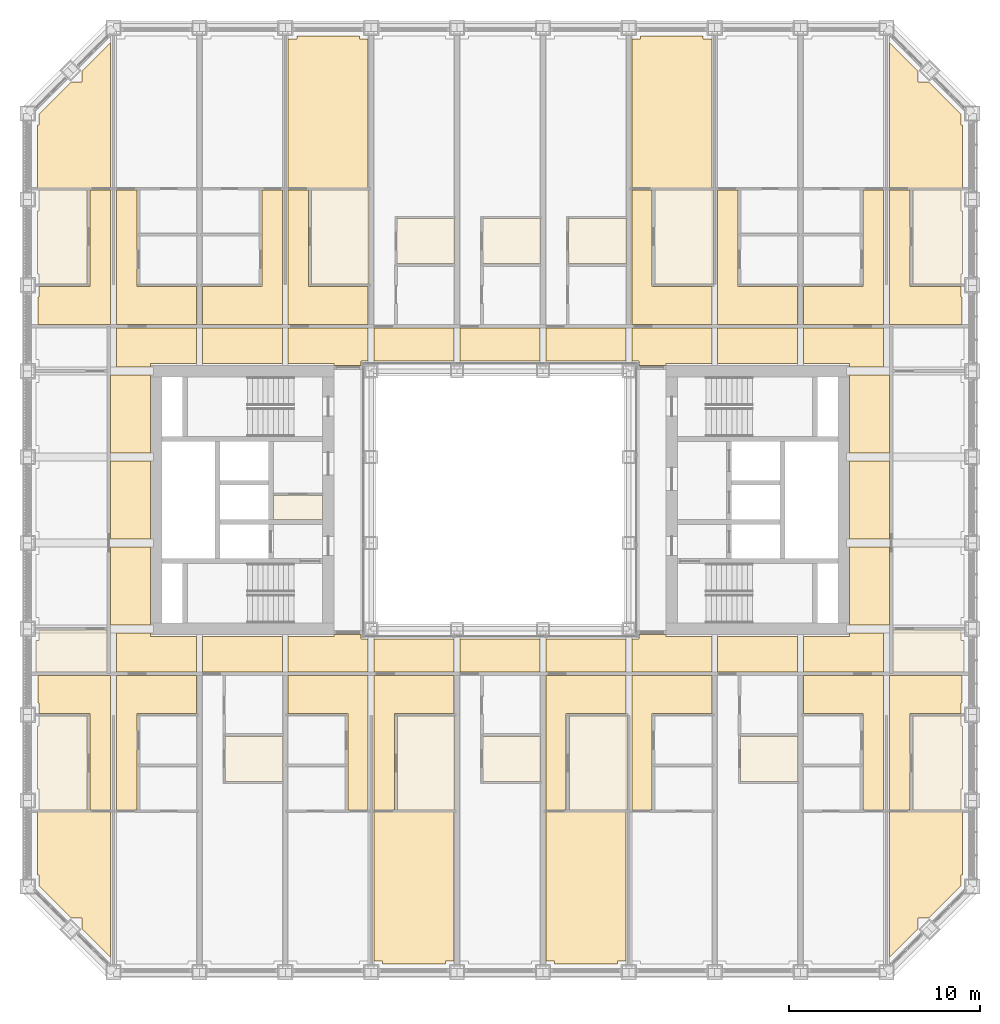
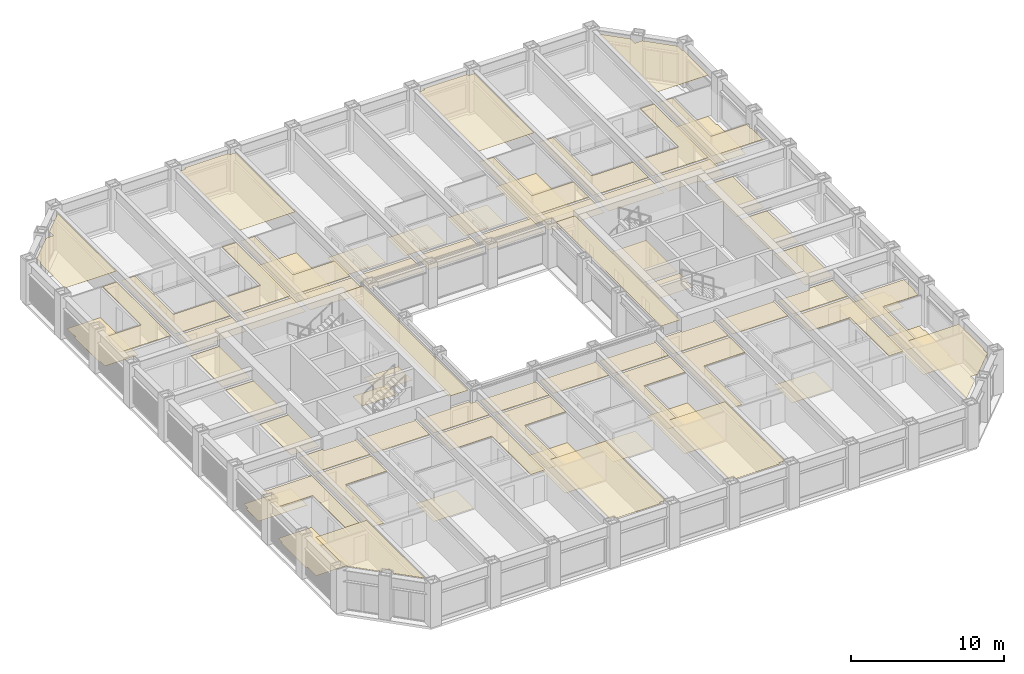
# One storey, part 19 of 21: 3 coverings.
"""IFC4 building model written with IfcOpenShell, lengths in metres."""

from ifc_helpers import new_model, si_unit, direction, frame, origin, place, context, subcontext, project, spatial, line, indexed_curve, outline, extrude, material, layer, layer_set, type_object, element, save


model = new_model("IFC4")

# Units and contexts
model_context = context("Model", 3, precision=1e-05, world=origin(), true_north=direction((0.0, 1.0)))
body_context = subcontext(model_context, "Body", "Model", "MODEL_VIEW")
ifc_project = project(units=[si_unit("LENGTHUNIT", "METRE"), si_unit("AREAUNIT", "SQUARE_METRE"), si_unit("VOLUMEUNIT", "CUBIC_METRE"), si_unit("PLANEANGLEUNIT", "RADIAN"), si_unit("MASSUNIT", "GRAM", prefix="KILO")], contexts=[model_context])

# Site, building, storey
site_placement = place(None, origin())
site = spatial("IfcSite", under=ifc_project, at=site_placement, CompositionType="ELEMENT")
building_placement = place(site_placement, origin())
building = spatial("IfcBuilding", under=site, at=building_placement, Name="Msasa Ring Tower", CompositionType="ELEMENT")
storey_placement = place(building_placement, frame((0.0, 0.0, 37.0)))
storey = spatial("IfcBuildingStorey", under=building, at=storey_placement, Name="L08", CompositionType="ELEMENT", Elevation=37.0)

# Coverings
ifc_material_1 = material(Name="Gypsum plasterboard on a steel suspension grid", Category="steel")
ifc_layer_1 = layer(ifc_material_1, 0.014892578125)
ifc_layer_set_1 = layer_set([ifc_layer_1], Name="C1 SUSPENDED PLASTERBOARD CEILING 15")
covering_type_1 = type_object("IfcCoveringType", Name="C1 SUSPENDED PLASTERBOARD CEILING 15", PredefinedType="CEILING", material=ifc_layer_set_1)
covering_1_placement = place(storey_placement, frame((0.0, 0.0, 2.39990234375)))
element("IfcCovering", 1, at=covering_1_placement, inside=storey, type_object=covering_type_1, Name="Suspended Plasterboard Ceiling 15 circulation L08", PredefinedType="CEILING", context=body_context, shape_type="SweptSolid", body=[
    extrude(outline(indexed_curve([(-21.469482421875, -16.244384765625), (-21.469482421875, -11.199462890625), (-24.1494140625, -11.199462890625), (-24.1494140625, -10.6494140625), (-24.199462890625, -10.6494140625), (-24.199462890625, -9.200439453125), (-20.404296875, -9.200439453125), (-20.404296875, -16.244384765625)], segments=[line(1, 2, 3, 4, 5, 6, 7, 8, 1)], self_intersect=False)), origin(), (0.0, 0.0, 1.0), 0.01513671875),
    extrude(outline(indexed_curve([(-24.199462890625, 9.200439453125), (-24.199462890625, 10.6494140625), (-24.1494140625, 10.6494140625), (-24.1494140625, 11.199462890625), (-21.469482421875, 11.199462890625), (-21.469482421875, 16.244384765625), (-20.404296875, 16.244384765625), (-20.404296875, 9.200439453125)], segments=[line(1, 2, 3, 4, 5, 6, 7, 8, 1)], self_intersect=False)), origin(), (0.0, 0.0, 1.0), 0.01513671875),
    extrude(outline(indexed_curve([(-20.3994140625, -2.460693359375), (-18.300537109375, -2.460693359375), (-18.300537109375, -6.539306640625), (-20.3994140625, -6.539306640625)], segments=[line(1, 2, 3, 4, 1)], self_intersect=False)), origin(), (0.0, 0.0, 1.0), 0.01513671875),
    extrude(outline(indexed_curve([(-20.3994140625, 2.039306640625), (-18.300537109375, 2.039306640625), (-18.300537109375, -2.039306640625), (-20.3994140625, -2.039306640625)], segments=[line(1, 2, 3, 4, 1)], self_intersect=False)), origin(), (0.0, 0.0, 1.0), 0.01513671875),
    extrude(outline(indexed_curve([(-20.3994140625, 6.539306640625), (-18.300537109375, 6.539306640625), (-18.300537109375, 2.460693359375), (-20.3994140625, 2.460693359375)], segments=[line(1, 2, 3, 4, 1)], self_intersect=False)), origin(), (0.0, 0.0, 1.0), 0.01513671875),
    extrude(outline(indexed_curve([(-20.095703125, -16.244384765625), (-20.095703125, -9.200439453125), (-15.904296875, -9.200439453125), (-15.904296875, -11.199462890625), (-19.030517578125, -11.199462890625), (-19.030517578125, -16.244384765625)], segments=[line(1, 2, 3, 4, 5, 6, 1)], self_intersect=False)), origin(), (0.0, 0.0, 1.0), 0.01513671875),
    extrude(outline(indexed_curve([(-20.095703125, -8.99951171875), (-20.095703125, -6.960693359375), (-18.300537109375, -6.960693359375), (-18.300537109375, -7.150390625), (-15.904296875, -7.150390625), (-15.904296875, -8.99951171875)], segments=[line(1, 2, 3, 4, 5, 6, 1)], self_intersect=False)), origin(), (0.0, 0.0, 1.0), 0.01513671875),
    extrude(outline(indexed_curve([(-15.904296875, 8.99951171875), (-15.904296875, 7.150390625), (-18.300537109375, 7.150390625), (-18.300537109375, 6.960693359375), (-20.095703125, 6.960693359375), (-20.095703125, 8.99951171875)], segments=[line(1, 2, 3, 4, 5, 6, 1)], self_intersect=False)), origin(), (0.0, 0.0, 1.0), 0.01513671875),
    extrude(outline(indexed_curve([(-19.030517578125, 16.244384765625), (-19.030517578125, 11.199462890625), (-15.904296875, 11.199462890625), (-15.904296875, 9.200439453125), (-20.095703125, 9.200439453125), (-20.095703125, 16.244384765625)], segments=[line(1, 2, 3, 4, 5, 6, 1)], self_intersect=False)), origin(), (0.0, 0.0, 1.0), 0.01513671875),
    extrude(outline(indexed_curve([(-15.595703125, -8.99951171875), (-15.595703125, -7.150390625), (-11.404296875, -7.150390625), (-11.404296875, -8.99951171875)], segments=[line(1, 2, 3, 4, 1)], self_intersect=False)), origin(), (0.0, 0.0, 1.0), 0.01513671875),
    extrude(outline(indexed_curve([(-11.404296875, 8.99951171875), (-11.404296875, 7.150390625), (-15.595703125, 7.150390625), (-15.595703125, 8.99951171875)], segments=[line(1, 2, 3, 4, 1)], self_intersect=False)), origin(), (0.0, 0.0, 1.0), 0.01513671875),
    extrude(outline(indexed_curve([(-15.595703125, 9.200439453125), (-15.595703125, 11.199462890625), (-12.469482421875, 11.199462890625), (-12.469482421875, 16.244384765625), (-11.404296875, 16.244384765625), (-11.404296875, 9.200439453125)], segments=[line(1, 2, 3, 4, 5, 6, 1)], self_intersect=False)), origin(), (0.0, 0.0, 1.0), 0.01513671875),
    extrude(outline(indexed_curve([(-11.87451171875, -1.275390625), (-9.300537109375, -1.275390625), (-9.300537109375, -3.074462890625), (-11.87451171875, -3.074462890625)], segments=[line(1, 2, 3, 4, 1)], self_intersect=False)), origin(), (0.0, 0.0, 1.0), 0.01513671875),
    extrude(outline(indexed_curve([(-7.969482421875, -16.244384765625), (-7.969482421875, -11.199462890625), (-11.095703125, -11.199462890625), (-11.095703125, -9.200439453125), (-6.904296875, -9.200439453125), (-6.904296875, -16.244384765625)], segments=[line(1, 2, 3, 4, 5, 6, 1)], self_intersect=False)), origin(), (0.0, 0.0, 1.0), 0.01513671875),
    extrude(outline(indexed_curve([(-11.095703125, -8.99951171875), (-11.095703125, -7.150390625), (-8.699462890625, -7.150390625), (-8.699462890625, -7.050537109375), (-7.280029296875, -7.050537109375), (-7.275390625, -7.275390625), (-6.904296875, -7.280029296875), (-6.904296875, -8.99951171875)], segments=[line(1, 2, 3, 4, 5, 6, 7, 8, 1)], self_intersect=False)), origin(), (0.0, 0.0, 1.0), 0.01513671875),
    extrude(outline(indexed_curve([(-6.904296875, 8.99951171875), (-6.904296875, 7.280029296875), (-7.275390625, 7.275390625), (-7.280029296875, 7.050537109375), (-8.699462890625, 7.050537109375), (-8.699462890625, 7.150390625), (-11.095703125, 7.150390625), (-11.095703125, 8.99951171875)], segments=[line(1, 2, 3, 4, 5, 6, 7, 8, 1)], self_intersect=False)), origin(), (0.0, 0.0, 1.0), 0.01513671875),
    extrude(outline(indexed_curve([(-10.030517578125, 16.244384765625), (-10.030517578125, 11.199462890625), (-6.904296875, 11.199462890625), (-6.904296875, 9.200439453125), (-11.095703125, 9.200439453125), (-11.095703125, 16.244384765625)], segments=[line(1, 2, 3, 4, 5, 6, 1)], self_intersect=False)), origin(), (0.0, 0.0, 1.0), 0.01513671875),
    extrude(outline(indexed_curve([(-2.404296875, -9.200439453125), (-2.404296875, -11.199462890625), (-5.530517578125, -11.199462890625), (-5.530517578125, -16.244384765625), (-6.595703125, -16.244384765625), (-6.595703125, -9.200439453125)], segments=[line(1, 2, 3, 4, 5, 6, 1)], self_intersect=False)), origin(), (0.0, 0.0, 1.0), 0.01513671875),
    extrude(outline(indexed_curve([(-6.595703125, -8.99951171875), (-6.595703125, -7.280029296875), (-2.404296875, -7.280029296875), (-2.404296875, -8.99951171875)], segments=[line(1, 2, 3, 4, 1)], self_intersect=False)), origin(), (0.0, 0.0, 1.0), 0.01513671875),
    extrude(outline(indexed_curve([(-2.404296875, 8.99951171875), (-2.404296875, 7.280029296875), (-6.595703125, 7.280029296875), (-6.595703125, 8.99951171875)], segments=[line(1, 2, 3, 4, 1)], self_intersect=False)), origin(), (0.0, 0.0, 1.0), 0.01513671875),
    extrude(outline(indexed_curve([(-2.095703125, -8.99951171875), (-2.095703125, -7.280029296875), (2.095703125, -7.280029296875), (2.095703125, -8.99951171875)], segments=[line(1, 2, 3, 4, 1)], self_intersect=False)), origin(), (0.0, 0.0, 1.0), 0.01513671875),
    extrude(outline(indexed_curve([(2.095703125, 8.99951171875), (2.095703125, 7.280029296875), (-2.095703125, 7.280029296875), (-2.095703125, 8.99951171875)], segments=[line(1, 2, 3, 4, 1)], self_intersect=False)), origin(), (0.0, 0.0, 1.0), 0.01513671875),
    extrude(outline(indexed_curve([(3.469482421875, -11.199462890625), (3.469482421875, -16.244384765625), (2.404296875, -16.244384765625), (2.404296875, -9.200439453125), (6.595703125, -9.200439453125), (6.595703125, -11.199462890625)], segments=[line(1, 2, 3, 4, 5, 6, 1)], self_intersect=False)), origin(), (0.0, 0.0, 1.0), 0.01513671875),
    extrude(outline(indexed_curve([(2.404296875, -8.99951171875), (2.404296875, -7.280029296875), (6.595703125, -7.280029296875), (6.595703125, -8.99951171875)], segments=[line(1, 2, 3, 4, 1)], self_intersect=False)), origin(), (0.0, 0.0, 1.0), 0.01513671875),
    extrude(outline(indexed_curve([(6.595703125, 8.99951171875), (6.595703125, 7.280029296875), (2.404296875, 7.280029296875), (2.404296875, 8.99951171875)], segments=[line(1, 2, 3, 4, 1)], self_intersect=False)), origin(), (0.0, 0.0, 1.0), 0.01513671875),
    extrude(outline(indexed_curve([(11.095703125, -9.200439453125), (11.095703125, -11.199462890625), (7.969482421875, -11.199462890625), (7.969482421875, -16.244384765625), (6.904296875, -16.244384765625), (6.904296875, -9.200439453125)], segments=[line(1, 2, 3, 4, 5, 6, 1)], self_intersect=False)), origin(), (0.0, 0.0, 1.0), 0.01513671875),
    extrude(outline(indexed_curve([(6.904296875, -8.99951171875), (6.904296875, -7.280029296875), (7.275390625, -7.275390625), (7.280029296875, -7.050537109375), (8.699462890625, -7.050537109375), (8.699462890625, -7.150390625), (11.095703125, -7.150390625), (11.095703125, -8.99951171875)], segments=[line(1, 2, 3, 4, 5, 6, 7, 8, 1)], self_intersect=False)), origin(), (0.0, 0.0, 1.0), 0.01513671875),
    extrude(outline(indexed_curve([(11.095703125, 8.99951171875), (11.095703125, 7.150390625), (8.699462890625, 7.150390625), (8.699462890625, 7.050537109375), (7.280029296875, 7.050537109375), (7.275390625, 7.275390625), (6.904296875, 7.280029296875), (6.904296875, 8.99951171875)], segments=[line(1, 2, 3, 4, 5, 6, 7, 8, 1)], self_intersect=False)), origin(), (0.0, 0.0, 1.0), 0.01513671875),
    extrude(outline(indexed_curve([(7.969482421875, 11.199462890625), (11.095703125, 11.199462890625), (11.095703125, 9.200439453125), (6.904296875, 9.200439453125), (6.904296875, 16.244384765625), (7.969482421875, 16.244384765625)], segments=[line(1, 2, 3, 4, 5, 6, 1)], self_intersect=False)), origin(), (0.0, 0.0, 1.0), 0.01513671875),
    extrude(outline(indexed_curve([(9.300537109375, -1.275390625), (11.87451171875, -1.275390625), (11.87451171875, -3.074462890625), (9.300537109375, -3.074462890625)], segments=[line(1, 2, 3, 4, 1)], self_intersect=False)), origin(), (0.0, 0.0, 1.0), 0.01513671875),
    extrude(outline(indexed_curve([(9.300537109375, -1.0244140625), (9.300537109375, 3.074462890625), (11.87451171875, 3.074462890625), (11.87451171875, -1.0244140625)], segments=[line(1, 2, 3, 4, 1)], self_intersect=False)), origin(), (0.0, 0.0, 1.0), 0.01513671875),
    extrude(outline(indexed_curve([(11.404296875, -8.99951171875), (11.404296875, -7.150390625), (15.595703125, -7.150390625), (15.595703125, -8.99951171875)], segments=[line(1, 2, 3, 4, 1)], self_intersect=False)), origin(), (0.0, 0.0, 1.0), 0.01513671875),
    extrude(outline(indexed_curve([(15.595703125, 8.99951171875), (15.595703125, 7.150390625), (11.404296875, 7.150390625), (11.404296875, 8.99951171875)], segments=[line(1, 2, 3, 4, 1)], self_intersect=False)), origin(), (0.0, 0.0, 1.0), 0.01513671875),
    extrude(outline(indexed_curve([(12.469482421875, 16.244384765625), (12.469482421875, 11.199462890625), (15.595703125, 11.199462890625), (15.595703125, 9.200439453125), (11.404296875, 9.200439453125), (11.404296875, 16.244384765625)], segments=[line(1, 2, 3, 4, 5, 6, 1)], self_intersect=False)), origin(), (0.0, 0.0, 1.0), 0.01513671875),
    extrude(outline(indexed_curve([(19.030517578125, -16.244384765625), (19.030517578125, -11.199462890625), (15.904296875, -11.199462890625), (15.904296875, -9.200439453125), (20.095703125, -9.200439453125), (20.095703125, -16.244384765625)], segments=[line(1, 2, 3, 4, 5, 6, 1)], self_intersect=False)), origin(), (0.0, 0.0, 1.0), 0.01513671875),
    extrude(outline(indexed_curve([(15.904296875, -8.99951171875), (15.904296875, -7.150390625), (18.300537109375, -7.150390625), (18.300537109375, -6.960693359375), (20.095703125, -6.960693359375), (20.095703125, -8.99951171875)], segments=[line(1, 2, 3, 4, 5, 6, 1)], self_intersect=False)), origin(), (0.0, 0.0, 1.0), 0.01513671875),
    extrude(outline(indexed_curve([(20.095703125, 8.99951171875), (20.095703125, 6.960693359375), (18.300537109375, 6.960693359375), (18.300537109375, 7.150390625), (15.904296875, 7.150390625), (15.904296875, 8.99951171875)], segments=[line(1, 2, 3, 4, 5, 6, 1)], self_intersect=False)), origin(), (0.0, 0.0, 1.0), 0.01513671875),
    extrude(outline(indexed_curve([(15.904296875, 9.200439453125), (15.904296875, 11.199462890625), (19.030517578125, 11.199462890625), (19.030517578125, 16.244384765625), (20.095703125, 16.244384765625), (20.095703125, 9.200439453125)], segments=[line(1, 2, 3, 4, 5, 6, 1)], self_intersect=False)), origin(), (0.0, 0.0, 1.0), 0.01513671875),
    extrude(outline(indexed_curve([(20.3994140625, -6.539306640625), (18.300537109375, -6.539306640625), (18.300537109375, -2.460693359375), (20.3994140625, -2.460693359375)], segments=[line(1, 2, 3, 4, 1)], self_intersect=False)), origin(), (0.0, 0.0, 1.0), 0.01513671875),
    extrude(outline(indexed_curve([(20.3994140625, -2.039306640625), (18.300537109375, -2.039306640625), (18.300537109375, 2.039306640625), (20.3994140625, 2.039306640625)], segments=[line(1, 2, 3, 4, 1)], self_intersect=False)), origin(), (0.0, 0.0, 1.0), 0.01513671875),
    extrude(outline(indexed_curve([(20.3994140625, 2.460693359375), (18.300537109375, 2.460693359375), (18.300537109375, 6.539306640625), (20.3994140625, 6.539306640625)], segments=[line(1, 2, 3, 4, 1)], self_intersect=False)), origin(), (0.0, 0.0, 1.0), 0.01513671875),
    extrude(outline(indexed_curve([(24.199462890625, -9.200439453125), (24.199462890625, -10.6494140625), (24.1494140625, -10.6494140625), (24.1494140625, -11.199462890625), (21.469482421875, -11.199462890625), (21.469482421875, -16.244384765625), (20.404296875, -16.244384765625), (20.404296875, -9.200439453125)], segments=[line(1, 2, 3, 4, 5, 6, 7, 8, 1)], self_intersect=False)), origin(), (0.0, 0.0, 1.0), 0.01513671875),
    extrude(outline(indexed_curve([(21.469482421875, 16.244384765625), (21.469482421875, 11.199462890625), (24.1494140625, 11.199462890625), (24.1494140625, 10.6494140625), (24.199462890625, 10.6494140625), (24.199462890625, 9.200439453125), (20.404296875, 9.200439453125), (20.404296875, 16.244384765625)], segments=[line(1, 2, 3, 4, 5, 6, 7, 8, 1)], self_intersect=False)), origin(), (0.0, 0.0, 1.0), 0.01513671875),
])
covering_2_placement = place(storey_placement, frame((0.0, 0.0, 3.175048828125)))
element("IfcCovering", 2, at=covering_2_placement, inside=storey, type_object=covering_type_1, Name="Suspended Plasterboard Ceiling 15 public rooms L08", PredefinedType="CEILING", context=body_context, shape_type="SweptSolid", body=[
    extrude(outline(indexed_curve([(-24.239501953125, -16.35546875), (-20.404296875, -16.35546875), (-20.404296875, -23.95849609375), (-21.8994140625, -22.46337890625), (-21.8994140625, -21.8994140625), (-22.46337890625, -21.8994140625), (-24.1494140625, -20.21337890625), (-24.1494140625, -19.6494140625), (-24.239501953125, -19.6494140625)], segments=[line(1, 2, 3, 4, 5, 6, 7, 8, 9, 1)], self_intersect=False)), origin(), (0.0, 0.0, 1.0), 0.014892578125),
    extrude(outline(indexed_curve([(-24.239501953125, 16.35546875), (-24.239501953125, 19.6494140625), (-24.1494140625, 19.6494140625), (-24.1494140625, 20.21337890625), (-22.46337890625, 21.8994140625), (-21.8994140625, 21.8994140625), (-21.8994140625, 22.46337890625), (-20.404296875, 23.95849609375), (-20.404296875, 16.35546875)], segments=[line(1, 2, 3, 4, 5, 6, 7, 8, 9, 1)], self_intersect=False)), origin(), (0.0, 0.0, 1.0), 0.014892578125),
    extrude(outline(indexed_curve([(-11.095703125, 16.35546875), (-11.095703125, 24.1494140625), (-10.6494140625, 24.1494140625), (-10.6494140625, 24.299560546875), (-7.3505859375, 24.299560546875), (-7.3505859375, 24.1494140625), (-6.904296875, 24.1494140625), (-6.904296875, 16.35546875)], segments=[line(1, 2, 3, 4, 5, 6, 7, 8, 1)], self_intersect=False)), origin(), (0.0, 0.0, 1.0), 0.014892578125),
    extrude(outline(indexed_curve([(-8.699462890625, 6.849609375), (-7.280029296875, 6.849609375), (-7.280029296875, -6.849609375), (-8.699462890625, -6.849609375)], segments=[line(1, 2, 3, 4, 1)], self_intersect=False)), origin(), (0.0, 0.0, 1.0), 0.014892578125),
    extrude(outline(indexed_curve([(-2.404296875, -16.35546875), (-2.404296875, -24.1494140625), (-2.8505859375, -24.1494140625), (-2.8505859375, -24.299560546875), (-6.1494140625, -24.299560546875), (-6.1494140625, -24.1494140625), (-6.595703125, -24.1494140625), (-6.595703125, -16.35546875)], segments=[line(1, 2, 3, 4, 5, 6, 7, 8, 1)], self_intersect=False)), origin(), (0.0, 0.0, 1.0), 0.014892578125),
    extrude(outline(indexed_curve([(6.595703125, -16.35546875), (6.595703125, -24.1494140625), (6.1494140625, -24.1494140625), (6.1494140625, -24.299560546875), (2.8505859375, -24.299560546875), (2.8505859375, -24.1494140625), (2.404296875, -24.1494140625), (2.404296875, -16.35546875)], segments=[line(1, 2, 3, 4, 5, 6, 7, 8, 1)], self_intersect=False)), origin(), (0.0, 0.0, 1.0), 0.014892578125),
    extrude(outline(indexed_curve([(6.904296875, 16.35546875), (6.904296875, 24.1494140625), (7.3505859375, 24.1494140625), (7.3505859375, 24.299560546875), (10.6494140625, 24.299560546875), (10.6494140625, 24.1494140625), (11.095703125, 24.1494140625), (11.095703125, 16.35546875)], segments=[line(1, 2, 3, 4, 5, 6, 7, 8, 1)], self_intersect=False)), origin(), (0.0, 0.0, 1.0), 0.014892578125),
    extrude(outline(indexed_curve([(7.280029296875, -6.849609375), (7.280029296875, 6.849609375), (8.699462890625, 6.849609375), (8.699462890625, -6.849609375)], segments=[line(1, 2, 3, 4, 1)], self_intersect=False)), origin(), (0.0, 0.0, 1.0), 0.014892578125),
    extrude(outline(indexed_curve([(24.239501953125, -16.35546875), (24.239501953125, -19.6494140625), (24.1494140625, -19.6494140625), (24.1494140625, -20.21337890625), (22.46337890625, -21.8994140625), (21.8994140625, -21.8994140625), (21.8994140625, -22.46337890625), (20.404296875, -23.95849609375), (20.404296875, -16.35546875)], segments=[line(1, 2, 3, 4, 5, 6, 7, 8, 9, 1)], self_intersect=False)), origin(), (0.0, 0.0, 1.0), 0.014892578125),
    extrude(outline(indexed_curve([(24.239501953125, 16.35546875), (20.404296875, 16.35546875), (20.404296875, 23.95849609375), (21.8994140625, 22.46337890625), (21.8994140625, 21.8994140625), (22.46337890625, 21.8994140625), (24.1494140625, 20.21337890625), (24.1494140625, 19.6494140625), (24.239501953125, 19.6494140625)], segments=[line(1, 2, 3, 4, 5, 6, 7, 8, 9, 1)], self_intersect=False)), origin(), (0.0, 0.0, 1.0), 0.014892578125),
])
ifc_material_2 = material(Name="Welded vinyl safety sheet flooring", Category="vinyl")
ifc_layer_2 = layer(ifc_material_2, 0.0029296875)
ifc_layer_set_2 = layer_set([ifc_layer_2], Name="F5 RESILIENT SHEET FLOORING 3")
covering_type_2 = type_object("IfcCoveringType", Name="F5 RESILIENT SHEET FLOORING 3", PredefinedType="FLOORING", material=ifc_layer_set_2)
covering_3_placement = place(storey_placement, origin())
element("IfcCovering", 3, at=covering_3_placement, inside=storey, type_object=covering_type_2, Name="Resilient Sheet Flooring 3 L08", PredefinedType="FLOORING", context=body_context, shape_type="SweptSolid", body=[
    extrude(outline(indexed_curve([(-24.299560546875, -8.99951171875), (-24.299560546875, -7.3505859375), (-24.1494140625, -7.3505859375), (-24.1494140625, -6.805419921875), (-20.6005859375, -6.805419921875), (-20.6005859375, -8.99951171875)], segments=[line(1, 2, 3, 4, 5, 6, 1)], self_intersect=False)), origin(), (0.0, 0.0, 1.0), 0.0029296875),
    extrude(outline(indexed_curve([(-21.630615234375, -11.305419921875), (-21.630615234375, -16.244384765625), (-24.1494140625, -16.244384765625), (-24.1494140625, -15.1494140625), (-24.239501953125, -15.1494140625), (-24.239501953125, -11.8505859375), (-24.1494140625, -11.8505859375), (-24.1494140625, -11.305419921875)], segments=[line(1, 2, 3, 4, 5, 6, 7, 8, 1)], self_intersect=False)), origin(), (0.0, 0.0, 1.0), 0.0029296875),
    extrude(outline(indexed_curve([(-21.630615234375, 16.244384765625), (-21.630615234375, 11.305419921875), (-24.1494140625, 11.305419921875), (-24.1494140625, 11.8505859375), (-24.239501953125, 11.8505859375), (-24.239501953125, 15.1494140625), (-24.1494140625, 15.1494140625), (-24.1494140625, 16.244384765625)], segments=[line(1, 2, 3, 4, 5, 6, 7, 8, 1)], self_intersect=False)), origin(), (0.0, 0.0, 1.0), 0.0029296875),
    extrude(outline(indexed_curve([(-11.37548828125, -12.380615234375), (-11.37548828125, -14.744384765625), (-14.3994140625, -14.744384765625), (-14.3994140625, -12.380615234375)], segments=[line(1, 2, 3, 4, 1)], self_intersect=False)), origin(), (0.0, 0.0, 1.0), 0.0029296875),
    extrude(outline(indexed_curve([(-9.300537109375, 0.244384765625), (-9.300537109375, -1.0244140625), (-11.87451171875, -1.0244140625), (-11.87451171875, 0.244384765625)], segments=[line(1, 2, 3, 4, 1)], self_intersect=False)), origin(), (0.0, 0.0, 1.0), 0.0029296875),
    extrude(outline(indexed_curve([(-6.87548828125, 16.244384765625), (-6.87548828125, 11.305419921875), (-9.869384765625, 11.305419921875), (-9.869384765625, 16.244384765625)], segments=[line(1, 2, 3, 4, 1)], self_intersect=False)), origin(), (0.0, 0.0, 1.0), 0.0029296875),
    extrude(outline(indexed_curve([(-2.37548828125, 14.744384765625), (-2.37548828125, 12.380615234375), (-5.3994140625, 12.380615234375), (-5.3994140625, 14.744384765625)], segments=[line(1, 2, 3, 4, 1)], self_intersect=False)), origin(), (0.0, 0.0, 1.0), 0.0029296875),
    extrude(outline(indexed_curve([(-2.37548828125, -11.305419921875), (-2.37548828125, -16.244384765625), (-5.369384765625, -16.244384765625), (-5.369384765625, -11.305419921875)], segments=[line(1, 2, 3, 4, 1)], self_intersect=False)), origin(), (0.0, 0.0, 1.0), 0.0029296875),
    extrude(outline(indexed_curve([(2.12451171875, -12.380615234375), (2.12451171875, -14.744384765625), (-0.8994140625, -14.744384765625), (-0.8994140625, -12.380615234375)], segments=[line(1, 2, 3, 4, 1)], self_intersect=False)), origin(), (0.0, 0.0, 1.0), 0.0029296875),
    extrude(outline(indexed_curve([(2.12451171875, 14.744384765625), (2.12451171875, 12.380615234375), (-0.8994140625, 12.380615234375), (-0.8994140625, 14.744384765625)], segments=[line(1, 2, 3, 4, 1)], self_intersect=False)), origin(), (0.0, 0.0, 1.0), 0.0029296875),
    extrude(outline(indexed_curve([(6.62451171875, 14.744384765625), (6.62451171875, 12.380615234375), (3.6005859375, 12.380615234375), (3.6005859375, 14.744384765625)], segments=[line(1, 2, 3, 4, 1)], self_intersect=False)), origin(), (0.0, 0.0, 1.0), 0.0029296875),
    extrude(outline(indexed_curve([(6.689453125, -11.305419921875), (6.689453125, -16.244384765625), (3.630615234375, -16.244384765625), (3.630615234375, -11.305419921875)], segments=[line(1, 2, 3, 4, 1)], self_intersect=False)), origin(), (0.0, 0.0, 1.0), 0.0029296875),
    extrude(outline(indexed_curve([(11.189453125, 11.305419921875), (8.130615234375, 11.305419921875), (8.130615234375, 16.244384765625), (11.189453125, 16.244384765625)], segments=[line(1, 2, 3, 4, 1)], self_intersect=False)), origin(), (0.0, 0.0, 1.0), 0.0029296875),
    extrude(outline(indexed_curve([(15.62451171875, -12.380615234375), (15.62451171875, -14.744384765625), (12.6005859375, -14.744384765625), (12.6005859375, -12.380615234375)], segments=[line(1, 2, 3, 4, 1)], self_intersect=False)), origin(), (0.0, 0.0, 1.0), 0.0029296875),
    extrude(outline(indexed_curve([(20.6005859375, -6.805419921875), (24.1494140625, -6.805419921875), (24.1494140625, -7.3505859375), (24.299560546875, -7.3505859375), (24.299560546875, -8.99951171875), (20.6005859375, -8.99951171875)], segments=[line(1, 2, 3, 4, 5, 6, 1)], self_intersect=False)), origin(), (0.0, 0.0, 1.0), 0.0029296875),
    extrude(outline(indexed_curve([(24.1494140625, -11.305419921875), (24.1494140625, -11.8505859375), (24.239501953125, -11.8505859375), (24.239501953125, -15.1494140625), (24.1494140625, -15.1494140625), (24.1494140625, -16.244384765625), (21.630615234375, -16.244384765625), (21.630615234375, -11.305419921875)], segments=[line(1, 2, 3, 4, 5, 6, 7, 8, 1)], self_intersect=False)), origin(), (0.0, 0.0, 1.0), 0.0029296875),
    extrude(outline(indexed_curve([(24.239501953125, 11.8505859375), (24.1494140625, 11.8505859375), (24.1494140625, 11.305419921875), (21.630615234375, 11.305419921875), (21.630615234375, 16.244384765625), (24.1494140625, 16.244384765625), (24.1494140625, 15.1494140625), (24.239501953125, 15.1494140625)], segments=[line(1, 2, 3, 4, 5, 6, 7, 8, 1)], self_intersect=False)), origin(), (0.0, 0.0, 1.0), 0.0029296875),
])

save(model, "model.ifc")
